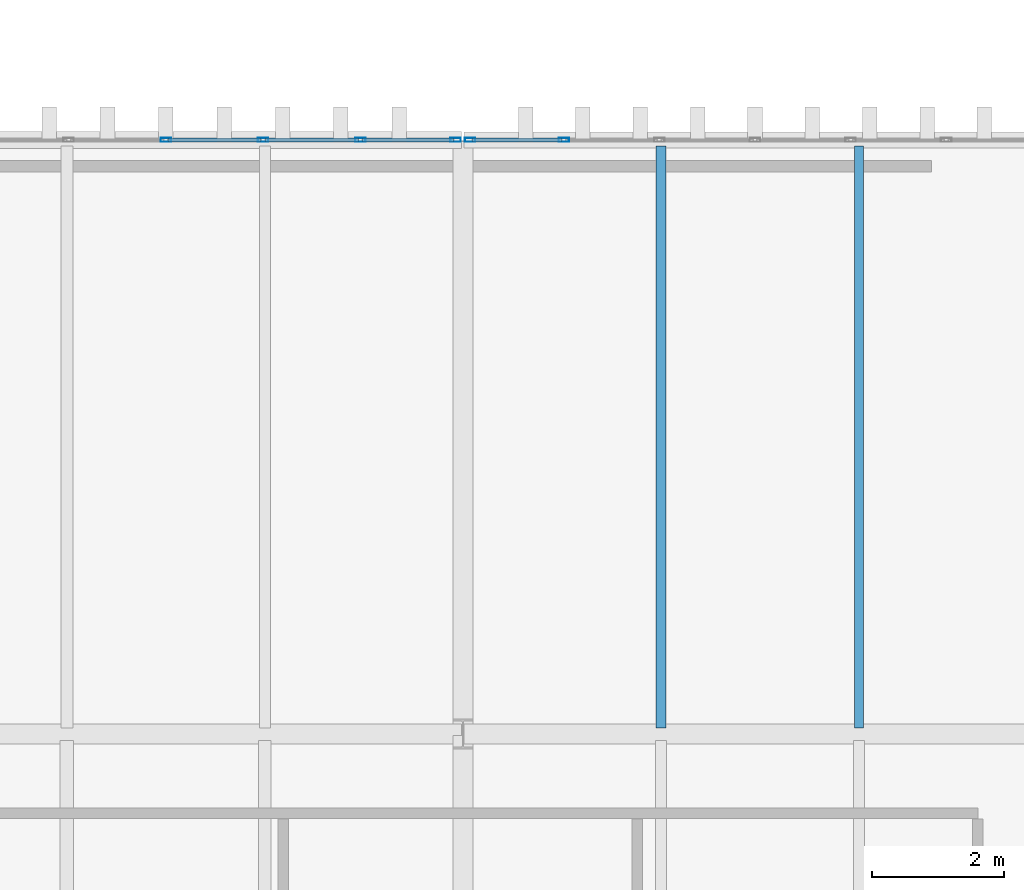
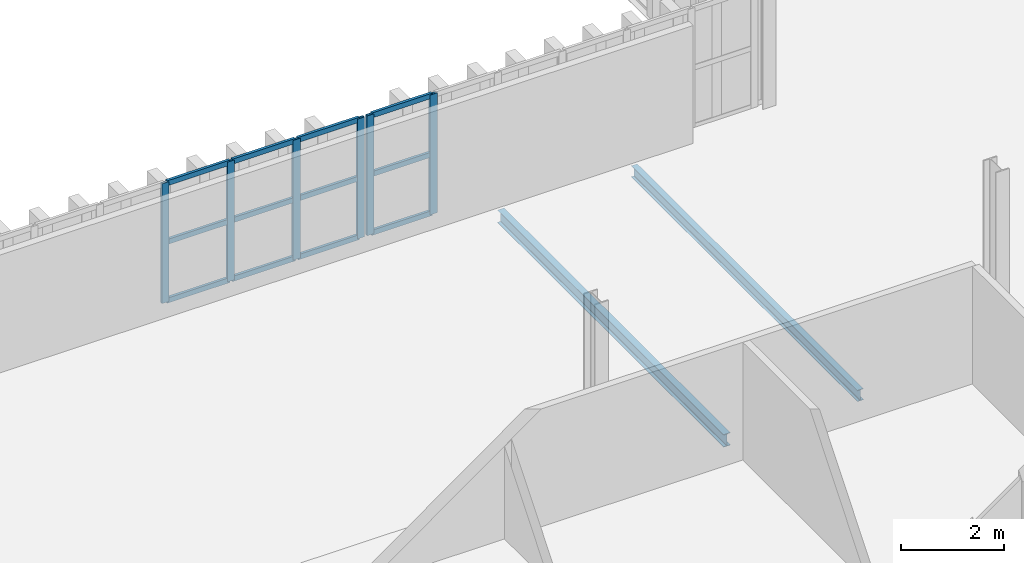
# One storey, part 46 of 102: 18 members, 2 beams, 2 elements without a shape of their own.
"""IFC4 building model written with IfcOpenShell, lengths in metres."""

from ifc_helpers import new_model, si_unit, direction, frame, origin, origin_2d, place, context, subcontext, project, spatial, hollow_rectangle, i_section, extrude, material, layer, layer_set, material_profile, profile_set, type_object, element, aggregate, save


model = new_model("IFC4")

# Units and contexts
model_context = context("Model", 3, precision=1e-05, world=origin(), true_north=direction((0.0, 1.0)))
body_context = subcontext(model_context, "Body", "Model", "MODEL_VIEW")
ifc_project = project(units=[si_unit("LENGTHUNIT", "METRE"), si_unit("AREAUNIT", "SQUARE_METRE"), si_unit("VOLUMEUNIT", "CUBIC_METRE"), si_unit("PLANEANGLEUNIT", "RADIAN"), si_unit("MASSUNIT", "GRAM", prefix="KILO")], contexts=[model_context])

# Site, building, storey
site_placement = place(None, origin())
site = spatial("IfcSite", under=ifc_project, at=site_placement, CompositionType="ELEMENT")
building_placement = place(site_placement, origin())
building = spatial("IfcBuilding", under=site, at=building_placement, Name="Barlavento Convention Centre", CompositionType="ELEMENT")
storey_placement = place(building_placement, frame((0.0, 0.0, 22.800048828125)))
storey = spatial("IfcBuildingStorey", under=building, at=storey_placement, Name="L04", CompositionType="ELEMENT", Elevation=22.800048828125)

# Curtain wall, members
ifc_material_1 = material(Name="Powder-coated aluminium and Low-E glass", Category="aluminium")
ifc_layer = layer(ifc_material_1, 0.179931640625)
ifc_layer_set = layer_set([ifc_layer], Name="ARC-CW-PATIO-B")
curtain_wall_type = type_object("IfcCurtainWallType", Name="ARC-CW-PATIO-B", PredefinedType="NOTDEFINED", material=ifc_layer_set)
curtain_wall_1_placement = place(storey_placement, origin())
curtain_wall_1 = element("IfcCurtainWall", 1, at=curtain_wall_1_placement, inside=storey, type_object=curtain_wall_type, Name="L04 unitised curtain wall CW12", PredefinedType="NOTDEFINED")
ifc_material_2 = material(Name="Powder-coated aluminium", Category="aluminium")
ifc_material_profile_1 = material_profile(ifc_material_2, hollow_rectangle(XDim=0.06005859375, YDim=0.159912109375, WallThickness=0.00390625, at=origin_2d()), Name="AL-MULL 60x160x4")
ifc_profile_set_1 = profile_set([ifc_material_profile_1], Name="Powder-coated aluminium")
member_type_1 = type_object("IfcMemberType", Name="ARC-CWM-60X160", PredefinedType="MULLION", material=ifc_profile_set_1)
member_1_placement = place(storey_placement, frame((157.5, 63.0, 0.0), z_axis=(0.0, 0.0, 1.0), x_axis=(0.0, 1.0, 0.0)))
member_1 = element("IfcMember", 2, at=member_1_placement, type_object=member_type_1, Name="CW12 mullion 4", PredefinedType="MULLION", context=body_context, shape_type="SweptSolid", body=[
    extrude(hollow_rectangle(XDim=0.06005859375, YDim=0.159912109375, WallThickness=0.00390625, at=origin_2d()), origin(), (0.0, 0.0, 1.0), 2.849853515625),
])
member_2_placement = place(storey_placement, frame((158.973388671875, 63.0, 0.0), z_axis=(0.0, 0.0, 1.0), x_axis=(0.0, 1.0, 0.0)))
member_2 = element("IfcMember", 3, at=member_2_placement, type_object=member_type_1, Name="CW12 mullion 5", PredefinedType="MULLION", context=body_context, shape_type="SweptSolid", body=[
    extrude(hollow_rectangle(XDim=0.06005859375, YDim=0.159912109375, WallThickness=0.00390625, at=origin_2d()), origin(), (0.0, 0.0, 1.0), 2.849853515625),
])
member_3_placement = place(storey_placement, frame((160.44677734375, 63.0, 0.0), z_axis=(0.0, 0.0, 1.0), x_axis=(0.0, 1.0, 0.0)))
member_3 = element("IfcMember", 4, at=member_3_placement, type_object=member_type_1, Name="CW12 mullion 6", PredefinedType="MULLION", context=body_context, shape_type="SweptSolid", body=[
    extrude(hollow_rectangle(XDim=0.06005859375, YDim=0.159912109375, WallThickness=0.00390625, at=origin_2d()), origin(), (0.0, 0.0, 1.0), 2.849853515625),
])
member_4_placement = place(storey_placement, frame((161.889892578125, 63.0, 0.0), z_axis=(0.0, 0.0, 1.0), x_axis=(0.0, 1.0, 0.0)))
member_4 = element("IfcMember", 5, at=member_4_placement, type_object=member_type_1, Name="CW12 mullion 7", PredefinedType="MULLION", context=body_context, shape_type="SweptSolid", body=[
    extrude(hollow_rectangle(XDim=0.06005859375, YDim=0.159912109375, WallThickness=0.00390625, at=origin_2d()), origin(), (0.0, 0.0, 1.0), 2.849853515625),
])

curtain_wall_2_placement = place(storey_placement, origin())
curtain_wall_2 = element("IfcCurtainWall", 6, at=curtain_wall_2_placement, inside=storey, type_object=curtain_wall_type, Name="L04 unitised curtain wall CW12", PredefinedType="NOTDEFINED")
member_5_placement = place(storey_placement, frame((162.110107421875, 63.0, 0.0), z_axis=(0.0, 0.0, 1.0), x_axis=(0.0, 1.0, 0.0)))
member_5 = element("IfcMember", 7, at=member_5_placement, type_object=member_type_1, Name="CW12 mullion 1", PredefinedType="MULLION", context=body_context, shape_type="SweptSolid", body=[
    extrude(hollow_rectangle(XDim=0.06005859375, YDim=0.159912109375, WallThickness=0.00390625, at=origin_2d()), origin(), (0.0, 0.0, 1.0), 2.849853515625),
])
member_6_placement = place(storey_placement, frame((163.5283203125, 63.0, 0.0), z_axis=(0.0, 0.0, 1.0), x_axis=(0.0, 1.0, 0.0)))
member_6 = element("IfcMember", 8, at=member_6_placement, type_object=member_type_1, Name="CW12 mullion 2", PredefinedType="MULLION", context=body_context, shape_type="SweptSolid", body=[
    extrude(hollow_rectangle(XDim=0.06005859375, YDim=0.159912109375, WallThickness=0.00390625, at=origin_2d()), origin(), (0.0, 0.0, 1.0), 2.849853515625),
])

# Member
ifc_material_profile_2 = material_profile(ifc_material_2, hollow_rectangle(XDim=0.06005859375, YDim=0.1201171875, WallThickness=0.00390625, at=origin_2d()), Name="AL-TRAN 60x120x4")
ifc_profile_set_2 = profile_set([ifc_material_profile_2], Name="Powder-coated aluminium")
member_type_2 = type_object("IfcMemberType", Name="ARC-CWT-60X120", PredefinedType="USERDEFINED", material=ifc_profile_set_2)
member_7_placement = place(storey_placement, frame((157.530029296875, 63.0, 0.030029296875), z_axis=(1.0, 0.0, 0.0), x_axis=(0.0, 1.0, 0.0)))
member_7 = element("IfcMember", 9, at=member_7_placement, type_object=member_type_2, Name="CW12 transom 4.1", ObjectType="TRANSOM", PredefinedType="USERDEFINED", context=body_context, shape_type="SweptSolid", body=[
    extrude(hollow_rectangle(XDim=0.06005859375, YDim=0.1201171875, WallThickness=0.00390625, at=origin_2d()), origin(), (0.0, 0.0, 1.0), 1.413330078125),
])

member_8_placement = place(storey_placement, frame((157.530029296875, 63.0, 1.425048828125), z_axis=(1.0, 0.0, 0.0), x_axis=(0.0, 1.0, 0.0)))
member_8 = element("IfcMember", 10, at=member_8_placement, type_object=member_type_2, Name="CW12 transom 4.2", ObjectType="TRANSOM", PredefinedType="USERDEFINED", context=body_context, shape_type="SweptSolid", body=[
    extrude(hollow_rectangle(XDim=0.06005859375, YDim=0.1201171875, WallThickness=0.00390625, at=origin_2d()), origin(), (0.0, 0.0, 1.0), 1.413330078125),
])

member_9_placement = place(storey_placement, frame((157.530029296875, 63.0, 2.820068359375), z_axis=(1.0, 0.0, 0.0), x_axis=(0.0, 1.0, 0.0)))
member_9 = element("IfcMember", 11, at=member_9_placement, type_object=member_type_2, Name="CW12 transom 4.3", ObjectType="TRANSOM", PredefinedType="USERDEFINED", context=body_context, shape_type="SweptSolid", body=[
    extrude(hollow_rectangle(XDim=0.06005859375, YDim=0.1201171875, WallThickness=0.00390625, at=origin_2d()), origin(), (0.0, 0.0, 1.0), 1.413330078125),
])

member_10_placement = place(storey_placement, frame((159.00341796875, 63.0, 0.030029296875), z_axis=(1.0, 0.0, 0.0), x_axis=(0.0, 1.0, 0.0)))
member_10 = element("IfcMember", 12, at=member_10_placement, type_object=member_type_2, Name="CW12 transom 5.1", ObjectType="TRANSOM", PredefinedType="USERDEFINED", context=body_context, shape_type="SweptSolid", body=[
    extrude(hollow_rectangle(XDim=0.06005859375, YDim=0.1201171875, WallThickness=0.00390625, at=origin_2d()), origin(), (0.0, 0.0, 1.0), 1.413330078125),
])

member_11_placement = place(storey_placement, frame((159.00341796875, 63.0, 1.425048828125), z_axis=(1.0, 0.0, 0.0), x_axis=(0.0, 1.0, 0.0)))
member_11 = element("IfcMember", 13, at=member_11_placement, type_object=member_type_2, Name="CW12 transom 5.2", ObjectType="TRANSOM", PredefinedType="USERDEFINED", context=body_context, shape_type="SweptSolid", body=[
    extrude(hollow_rectangle(XDim=0.06005859375, YDim=0.1201171875, WallThickness=0.00390625, at=origin_2d()), origin(), (0.0, 0.0, 1.0), 1.413330078125),
])

member_12_placement = place(storey_placement, frame((159.00341796875, 63.0, 2.820068359375), z_axis=(1.0, 0.0, 0.0), x_axis=(0.0, 1.0, 0.0)))
member_12 = element("IfcMember", 14, at=member_12_placement, type_object=member_type_2, Name="CW12 transom 5.3", ObjectType="TRANSOM", PredefinedType="USERDEFINED", context=body_context, shape_type="SweptSolid", body=[
    extrude(hollow_rectangle(XDim=0.06005859375, YDim=0.1201171875, WallThickness=0.00390625, at=origin_2d()), origin(), (0.0, 0.0, 1.0), 1.413330078125),
])

member_13_placement = place(storey_placement, frame((160.4765625, 63.0, 0.030029296875), z_axis=(1.0, 0.0, 0.0), x_axis=(0.0, 1.0, 0.0)))
member_13 = element("IfcMember", 15, at=member_13_placement, type_object=member_type_2, Name="CW12 transom 6.1", ObjectType="TRANSOM", PredefinedType="USERDEFINED", context=body_context, shape_type="SweptSolid", body=[
    extrude(hollow_rectangle(XDim=0.06005859375, YDim=0.1201171875, WallThickness=0.00390625, at=origin_2d()), origin(), (0.0, 0.0, 1.0), 1.383544921875),
])

member_14_placement = place(storey_placement, frame((160.4765625, 63.0, 1.425048828125), z_axis=(1.0, 0.0, 0.0), x_axis=(0.0, 1.0, 0.0)))
member_14 = element("IfcMember", 16, at=member_14_placement, type_object=member_type_2, Name="CW12 transom 6.2", ObjectType="TRANSOM", PredefinedType="USERDEFINED", context=body_context, shape_type="SweptSolid", body=[
    extrude(hollow_rectangle(XDim=0.06005859375, YDim=0.1201171875, WallThickness=0.00390625, at=origin_2d()), origin(), (0.0, 0.0, 1.0), 1.383544921875),
])

member_15_placement = place(storey_placement, frame((160.4765625, 63.0, 2.820068359375), z_axis=(1.0, 0.0, 0.0), x_axis=(0.0, 1.0, 0.0)))
member_15 = element("IfcMember", 17, at=member_15_placement, type_object=member_type_2, Name="CW12 transom 6.3", ObjectType="TRANSOM", PredefinedType="USERDEFINED", context=body_context, shape_type="SweptSolid", body=[
    extrude(hollow_rectangle(XDim=0.06005859375, YDim=0.1201171875, WallThickness=0.00390625, at=origin_2d()), origin(), (0.0, 0.0, 1.0), 1.383544921875),
])

aggregate(curtain_wall_1, [member_1, member_2, member_3, member_4, member_7, member_8, member_9, member_10, member_11, member_12, member_13, member_14, member_15])

member_16_placement = place(storey_placement, frame((162.139892578125, 63.0, 0.030029296875), z_axis=(1.0, 0.0, 0.0), x_axis=(0.0, 1.0, 0.0)))
member_16 = element("IfcMember", 18, at=member_16_placement, type_object=member_type_2, Name="CW12 transom 1.1", ObjectType="TRANSOM", PredefinedType="USERDEFINED", context=body_context, shape_type="SweptSolid", body=[
    extrude(hollow_rectangle(XDim=0.06005859375, YDim=0.1201171875, WallThickness=0.00390625, at=origin_2d()), origin(), (0.0, 0.0, 1.0), 1.3583984375),
])

member_17_placement = place(storey_placement, frame((162.139892578125, 63.0, 1.425048828125), z_axis=(1.0, 0.0, 0.0), x_axis=(0.0, 1.0, 0.0)))
member_17 = element("IfcMember", 19, at=member_17_placement, type_object=member_type_2, Name="CW12 transom 1.2", ObjectType="TRANSOM", PredefinedType="USERDEFINED", context=body_context, shape_type="SweptSolid", body=[
    extrude(hollow_rectangle(XDim=0.06005859375, YDim=0.1201171875, WallThickness=0.00390625, at=origin_2d()), origin(), (0.0, 0.0, 1.0), 1.3583984375),
])

member_18_placement = place(storey_placement, frame((162.139892578125, 63.0, 2.820068359375), z_axis=(1.0, 0.0, 0.0), x_axis=(0.0, 1.0, 0.0)))
member_18 = element("IfcMember", 20, at=member_18_placement, type_object=member_type_2, Name="CW12 transom 1.3", ObjectType="TRANSOM", PredefinedType="USERDEFINED", context=body_context, shape_type="SweptSolid", body=[
    extrude(hollow_rectangle(XDim=0.06005859375, YDim=0.1201171875, WallThickness=0.00390625, at=origin_2d()), origin(), (0.0, 0.0, 1.0), 1.3583984375),
])

aggregate(curtain_wall_2, [member_5, member_6, member_16, member_17, member_18])

# Beams
ifc_material_3 = material(Name="Steel S355", Category="steel")
ifc_material_profile_3 = material_profile(ifc_material_3, i_section(OverallWidth=0.135009765625, OverallDepth=0.27001953125, WebThickness=0.006591796875, FlangeThickness=0.01025390625, FilletRadius=0.014892578125, at=origin_2d()), Name="IPE 270")
ifc_profile_set_3 = profile_set([ifc_material_profile_3], Name="Steel S355")
beam_type_1 = type_object("IfcBeamType", Name="STR-BM-JST-IPE270", PredefinedType="JOIST", material=ifc_profile_set_3)
beam_1_placement = place(storey_placement, frame((168.0, 54.094970703125, -0.4951171875), z_axis=(0.0, 1.0, 0.0), x_axis=(-1.0, 0.0, 0.0)))
element("IfcBeam", 21, at=beam_1_placement, inside=storey, type_object=beam_type_1, Name="L04 composite floor joist SJ08", PredefinedType="JOIST", context=body_context, shape_type="SweptSolid", body=[
    extrude(i_section(OverallWidth=0.135009765625, OverallDepth=0.27001953125, WebThickness=0.006591796875, FlangeThickness=0.01025390625, FilletRadius=0.014892578125, at=origin_2d()), origin(), (0.0, 0.0, 1.0), 8.81005859375),
])
ifc_material_profile_4 = material_profile(ifc_material_3, i_section(OverallWidth=0.14990234375, OverallDepth=0.300048828125, WebThickness=0.007080078125, FlangeThickness=0.0107421875, FilletRadius=0.014892578125, at=origin_2d()), Name="IPE 300")
ifc_profile_set_4 = profile_set([ifc_material_profile_4], Name="Steel S355")
beam_type_2 = type_object("IfcBeamType", Name="STR-BM-JST-IPE300", PredefinedType="JOIST", material=ifc_profile_set_4)
beam_2_placement = place(storey_placement, frame((165.0, 54.094970703125, -0.510009765625), z_axis=(0.0, 1.0, 0.0), x_axis=(-1.0, 0.0, 0.0)))
element("IfcBeam", 22, at=beam_2_placement, inside=storey, type_object=beam_type_2, Name="L04 composite floor joist SJ07", PredefinedType="JOIST", context=body_context, shape_type="SweptSolid", body=[
    extrude(i_section(OverallWidth=0.14990234375, OverallDepth=0.300048828125, WebThickness=0.007080078125, FlangeThickness=0.0107421875, FilletRadius=0.014892578125, at=origin_2d()), origin(), (0.0, 0.0, 1.0), 8.81005859375),
])

save(model, "model.ifc")
